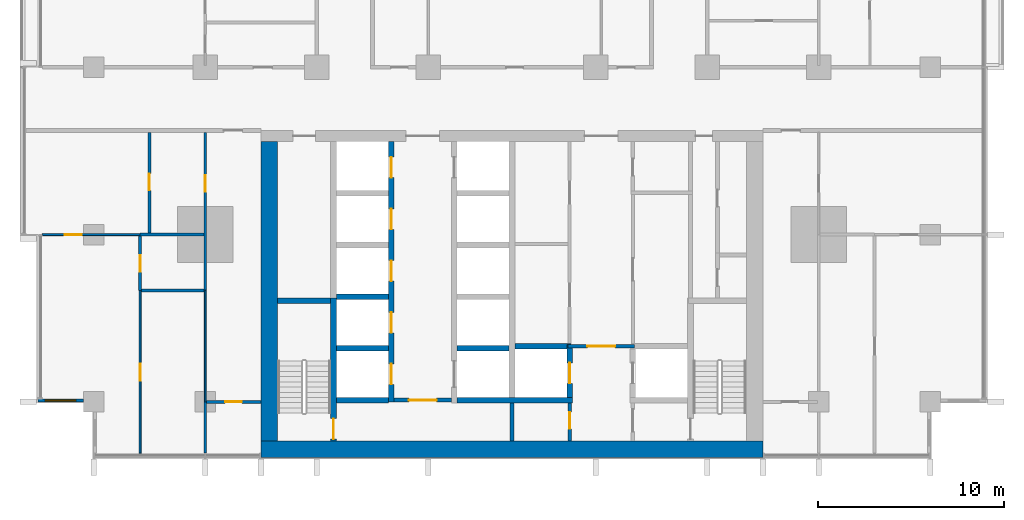
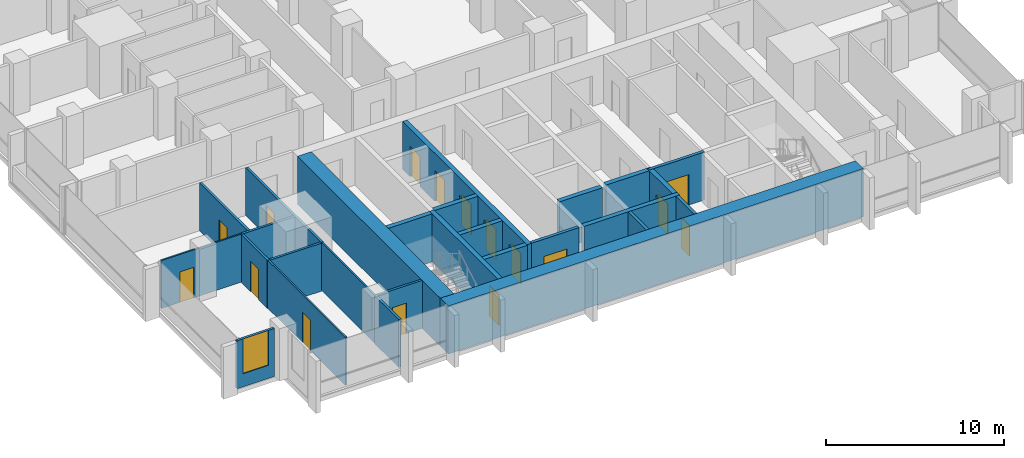
# One storey, part 7 of 17: 27 walls, 16 doors, 1 window, 17 openings.
"""IFC4 building model written with IfcOpenShell, lengths in metres."""

from ifc_helpers import new_model, si_unit, direction, frame, frame_2d, origin, place, context, subcontext, project, spatial, rectangle, extrude, material, layer, layer_set, type_object, element, fill, save


model = new_model("IFC4")

# Units and contexts
model_context = context("Model", 3, precision=1e-05, world=origin(), true_north=direction((0.0, 1.0)))
body_context = subcontext(model_context, "Body", "Model", "MODEL_VIEW")
ifc_project = project(units=[si_unit("LENGTHUNIT", "METRE"), si_unit("AREAUNIT", "SQUARE_METRE"), si_unit("VOLUMEUNIT", "CUBIC_METRE"), si_unit("PLANEANGLEUNIT", "RADIAN"), si_unit("MASSUNIT", "GRAM", prefix="KILO")], contexts=[model_context])

# Site, building, storey
site_placement = place(None, origin())
site = spatial("IfcSite", under=ifc_project, at=site_placement, CompositionType="ELEMENT")
building_placement = place(site_placement, origin())
building = spatial("IfcBuilding", under=site, at=building_placement, Name="Finial Court Residences", CompositionType="ELEMENT")
storey_placement = place(building_placement, frame((0.0, 0.0, 61.300048828125)))
storey = spatial("IfcBuildingStorey", under=building, at=storey_placement, Name="L14", CompositionType="ELEMENT", Elevation=61.300048828125)

# Walls
ifc_material_1 = material(Name="Concrete C80/95", Category="concrete")
ifc_layer_1 = layer(ifc_material_1, 0.89990234375)
ifc_layer_set_1 = layer_set([ifc_layer_1], Name="Core outer wall 900 Concrete C80/95")
wall_type_1 = type_object("IfcWallType", Name="Core outer wall 900 Concrete C80/95", PredefinedType="SHEAR", material=ifc_layer_set_1)
wall_1_placement = place(storey_placement, frame((-13.050048828125, -24.60009765625, 0.0), z_axis=(0.0, 0.0, 1.0), x_axis=(0.0, 1.0, 0.0)))
element("IfcWall", 1, at=wall_1_placement, inside=storey, type_object=wall_type_1, Name="Core outer wall L14-03", PredefinedType="SHEAR", context=body_context, shape_type="SweptSolid", body=[
    extrude(rectangle(XDim=16.10009765625, YDim=0.89990234375, at=frame_2d((8.050048828125, 0.0))), origin(), (0.0, 0.0, 1.0), 3.300048828125),
])
ifc_layer_2 = layer(ifc_material_1, 0.89990234375)
ifc_layer_set_2 = layer_set([ifc_layer_2], Name="Core south facade wall 900 Concrete C80/95")
wall_type_2 = type_object("IfcWallType", Name="Core south facade wall 900 Concrete C80/95", PredefinedType="SHEAR", material=ifc_layer_set_2)
wall_2_placement = place(storey_placement, frame((-13.5, -25.050048828125, 0.0), z_axis=(0.0, 0.0, 1.0), x_axis=(1.0, 0.0, 0.0)))
element("IfcWall", 2, at=wall_2_placement, inside=storey, type_object=wall_type_2, Name="Core outer wall L14-01", PredefinedType="SHEAR", context=body_context, shape_type="SweptSolid", body=[
    extrude(rectangle(XDim=27.0, YDim=0.89990234375, at=frame_2d((13.5, 0.0))), origin(), (0.0, 0.0, 1.0), 3.300048828125),
])

# Wall, opening, door
ifc_material_2 = material(Name="Fire-rated gypsum board partition")
ifc_layer_3 = layer(ifc_material_2, 0.199951171875)
ifc_layer_set_3 = layer_set([ifc_layer_3], Name="Firefighting lobby wall 200 EI 120")
wall_type_3 = type_object("IfcWallType", Name="Firefighting lobby wall 200 EI 120", PredefinedType="PARTITIONING", material=ifc_layer_set_3)
wall_3_placement = place(storey_placement, frame((6.574951171875, -19.5, 0.0), z_axis=(0.0, 0.0, 1.0), x_axis=(-1.0, 0.0, 0.0)))
wall_3 = element("IfcWall", 3, at=wall_3_placement, inside=storey, type_object=wall_type_3, Name="Core partition L14-08", PredefinedType="PARTITIONING", context=body_context, shape_type="SweptSolid", body=[
    extrude(rectangle(XDim=3.550048828125, YDim=0.199951171875, at=frame_2d((1.77490234375, 0.0))), origin(), (0.0, 0.0, 1.0), 3.300048828125),
])
opening_1_placement = place(wall_3_placement, frame((1.02490234375, 0.0, 0.0)))
opening_1 = element("IfcOpeningElement", 4, at=opening_1_placement, cuts=wall_3, Name="Opening L14-C02", PredefinedType="OPENING", context=body_context, shape_type="SweptSolid", body=[
    extrude(rectangle(XDim=1.5, YDim=2.10009765625, at=frame_2d((0.75, 1.050048828125))), frame((0.0, 0.10986328125, 0.0), z_axis=(0.0, -1.0, 0.0), x_axis=(1.0, 0.0, 0.0)), (0.0, 0.0, 1.0), 0.219970703125),
])
ifc_material_3 = material(Name="Steel fire door", Category="steel")
door_type_1 = type_object("IfcDoorType", Name="Firefighting lobby door 1500 x 2100 EI 90", OperationType="DOUBLE_DOOR_SINGLE_SWING", PredefinedType="DOOR", material=ifc_material_3)
door_1_placement = place(opening_1_placement, origin())
door_1 = element("IfcDoor", 5, at=door_1_placement, inside=storey, type_object=door_type_1, Name="Firefighting lobby door L14-C02", OperationType="DOUBLE_DOOR_SINGLE_SWING", OverallHeight=2.10009765625, OverallWidth=1.5, PredefinedType="DOOR", context=body_context, shape_type="SweptSolid", body=[
    extrude(rectangle(XDim=1.5, YDim=2.10009765625, at=frame_2d((0.75, 1.050048828125))), frame((0.0, 0.02490234375, 0.0), z_axis=(0.0, -1.0, 0.0), x_axis=(1.0, 0.0, 0.0)), (0.0, 0.0, 1.0), 0.050048828125),
])
fill(opening_1, door_1)

wall_4_placement = place(storey_placement, frame((3.10009765625, -24.60009765625, 0.0), z_axis=(0.0, 0.0, 1.0), x_axis=(0.0, 1.0, 0.0)))
wall_4 = element("IfcWall", 6, at=wall_4_placement, inside=storey, type_object=wall_type_3, Name="Core partition L14-27", PredefinedType="PARTITIONING", context=body_context, shape_type="SweptSolid", body=[
    extrude(rectangle(XDim=2.050048828125, YDim=0.199951171875, at=frame_2d((1.02490234375, 0.0))), origin(), (0.0, 0.0, 1.0), 3.300048828125),
])
opening_2_placement = place(wall_4_placement, frame((0.64990234375, 0.0, 0.0)))
opening_2 = element("IfcOpeningElement", 7, at=opening_2_placement, cuts=wall_4, Name="Opening L14-C06", PredefinedType="OPENING", context=body_context, shape_type="SweptSolid", body=[
    extrude(rectangle(XDim=0.89990234375, YDim=2.10009765625, at=frame_2d((0.449951171875, 1.050048828125))), frame((0.0, 0.10986328125, 0.0), z_axis=(0.0, -1.0, 0.0), x_axis=(1.0, 0.0, 0.0)), (0.0, 0.0, 1.0), 0.219970703125),
])
door_type_2 = type_object("IfcDoorType", Name="Riser room door 900 x 2100 EI 90", OperationType="NOTDEFINED", PredefinedType="DOOR", material=ifc_material_3)
door_2_placement = place(opening_2_placement, origin())
door_2 = element("IfcDoor", 8, at=door_2_placement, inside=storey, type_object=door_type_2, Name="Riser room door L14-C06", OperationType="SINGLE_SWING_LEFT", OverallHeight=2.10009765625, OverallWidth=0.89990234375, PredefinedType="DOOR", context=body_context, shape_type="SweptSolid", body=[
    extrude(rectangle(XDim=0.89990234375, YDim=2.10009765625, at=frame_2d((0.449951171875, 1.050048828125))), frame((0.0, 0.02490234375, 0.0), z_axis=(0.0, -1.0, 0.0), x_axis=(1.0, 0.0, 0.0)), (0.0, 0.0, 1.0), 0.050048828125),
])
fill(opening_2, door_2)

ifc_material_4 = material(Name="Gypsum board")
ifc_layer_4 = layer(ifc_material_4, 0.012451171875)
ifc_material_5 = material(Name="Mineral wool in light-gauge frame")
ifc_layer_5 = layer(ifc_material_5, 0.074951171875)
ifc_layer_6 = layer(ifc_material_4, 0.012451171875)
ifc_layer_set_4 = layer_set([ifc_layer_4, ifc_layer_5, ifc_layer_6], Name="Gypsum board partition 100")
wall_type_4 = type_object("IfcWallType", Name="Gypsum board partition 100", PredefinedType="PARTITIONING", material=ifc_layer_set_4)
wall_5_placement = place(storey_placement, frame((-25.25, -13.5, 0.0), z_axis=(0.0, 0.0, 1.0), x_axis=(1.0, 0.0, 0.0)))
wall_5 = element("IfcWall", 9, at=wall_5_placement, inside=storey, type_object=wall_type_4, Name="Partition L14-003", PredefinedType="PARTITIONING", context=body_context, shape_type="SweptSolid", body=[
    extrude(rectangle(XDim=5.25, YDim=0.10009765625, at=frame_2d((2.625, 0.0))), origin(), (0.0, 0.0, 1.0), 3.300048828125),
])
opening_3_placement = place(wall_5_placement, frame((1.199951171875, 0.0, 0.0)))
opening_3 = element("IfcOpeningElement", 10, at=opening_3_placement, cuts=wall_5, Name="Opening L14-D003", PredefinedType="OPENING", context=body_context, shape_type="SweptSolid", body=[
    extrude(rectangle(XDim=0.89990234375, YDim=2.10009765625, at=frame_2d((0.449951171875, 1.050048828125))), frame((0.0, 0.06005859375, 0.0), z_axis=(0.0, -1.0, 0.0), x_axis=(1.0, 0.0, 0.0)), (0.0, 0.0, 1.0), 0.1201171875),
])
ifc_material_6 = material(Name="Timber door leaf in timber frame", Category="wood")
door_type_3 = type_object("IfcDoorType", Name="Door set 900 x 2100", OperationType="SINGLE_SWING_LEFT", PredefinedType="DOOR", material=ifc_material_6)
door_3_placement = place(opening_3_placement, origin())
door_3 = element("IfcDoor", 11, at=door_3_placement, inside=storey, type_object=door_type_3, Name="Door L14-D003", OperationType="SINGLE_SWING_LEFT", OverallHeight=2.10009765625, OverallWidth=0.89990234375, PredefinedType="DOOR", context=body_context, shape_type="SweptSolid", body=[
    extrude(rectangle(XDim=0.89990234375, YDim=2.10009765625, at=frame_2d((0.449951171875, 1.050048828125))), frame((0.0, 0.02490234375, 0.0), z_axis=(0.0, -1.0, 0.0), x_axis=(1.0, 0.0, 0.0)), (0.0, 0.0, 1.0), 0.050048828125),
])
fill(opening_3, door_3)

wall_6_placement = place(storey_placement, frame((-20.0, -25.25, 0.0), z_axis=(0.0, 0.0, 1.0), x_axis=(0.0, 1.0, 0.0)))
wall_6 = element("IfcWall", 12, at=wall_6_placement, inside=storey, type_object=wall_type_4, Name="Partition L14-045", PredefinedType="PARTITIONING", context=body_context, shape_type="SweptSolid", body=[
    extrude(rectangle(XDim=8.75, YDim=0.10009765625, at=frame_2d((4.375, 0.0))), origin(), (0.0, 0.0, 1.0), 3.300048828125),
])
opening_4_placement = place(wall_6_placement, frame((3.89990234375, 0.0, 0.0)))
opening_4 = element("IfcOpeningElement", 13, at=opening_4_placement, cuts=wall_6, Name="Opening L14-D033", PredefinedType="OPENING", context=body_context, shape_type="SweptSolid", body=[
    extrude(rectangle(XDim=0.89990234375, YDim=2.10009765625, at=frame_2d((0.449951171875, 1.050048828125))), frame((0.0, 0.06005859375, 0.0), z_axis=(0.0, -1.0, 0.0), x_axis=(1.0, 0.0, 0.0)), (0.0, 0.0, 1.0), 0.1201171875),
])
door_4_placement = place(opening_4_placement, origin())
door_4 = element("IfcDoor", 14, at=door_4_placement, inside=storey, type_object=door_type_3, Name="Door L14-D033", OperationType="SINGLE_SWING_LEFT", OverallHeight=2.10009765625, OverallWidth=0.89990234375, PredefinedType="DOOR", context=body_context, shape_type="SweptSolid", body=[
    extrude(rectangle(XDim=0.89990234375, YDim=2.10009765625, at=frame_2d((0.449951171875, 1.050048828125))), frame((0.0, 0.02490234375, 0.0), z_axis=(0.0, -1.0, 0.0), x_axis=(1.0, 0.0, 0.0)), (0.0, 0.0, 1.0), 0.050048828125),
])
fill(opening_4, door_4)

# Wall
wall_7_placement = place(storey_placement, frame((-16.5, -22.5, 0.0), z_axis=(0.0, 0.0, 1.0), x_axis=(0.0, 1.0, 0.0)))
element("IfcWall", 15, at=wall_7_placement, inside=storey, type_object=wall_type_4, Name="Partition L14-049", PredefinedType="PARTITIONING", context=body_context, shape_type="SweptSolid", body=[
    extrude(rectangle(XDim=6.0, YDim=0.10009765625, at=frame_2d((3.0, 0.0))), origin(), (0.0, 0.0, 1.0), 3.300048828125),
])

# Wall, opening, door
ifc_material_7 = material(Name="Moisture-resistant gypsum board")
ifc_layer_7 = layer(ifc_material_7, 0.012451171875)
ifc_layer_8 = layer(ifc_material_5, 0.125)
ifc_layer_9 = layer(ifc_material_7, 0.012451171875)
ifc_layer_set_5 = layer_set([ifc_layer_7, ifc_layer_8, ifc_layer_9], Name="Gypsum board wet-area partition 150")
wall_type_5 = type_object("IfcWallType", Name="Gypsum board wet-area partition 150", PredefinedType="PARTITIONING", material=ifc_layer_set_5)
wall_8_placement = place(storey_placement, frame((-16.425048828125, -22.5, 0.0), z_axis=(0.0, 0.0, 1.0), x_axis=(1.0, 0.0, 0.0)))
wall_8 = element("IfcWall", 16, at=wall_8_placement, inside=storey, type_object=wall_type_5, Name="Partition L14-000", PredefinedType="PARTITIONING", context=body_context, shape_type="SweptSolid", body=[
    extrude(rectangle(XDim=2.925048828125, YDim=0.14990234375, at=frame_2d((1.46240234375, 0.0))), origin(), (0.0, 0.0, 1.0), 3.300048828125),
])
opening_5_placement = place(wall_8_placement, frame((1.0, 0.0, 0.0)))
opening_5 = element("IfcOpeningElement", 17, at=opening_5_placement, cuts=wall_8, Name="Opening L14-D001", PredefinedType="OPENING", context=body_context, shape_type="SweptSolid", body=[
    extrude(rectangle(XDim=0.89990234375, YDim=2.10009765625, at=frame_2d((0.449951171875, 1.050048828125))), frame((0.0, 0.0849609375, 0.0), z_axis=(0.0, -1.0, 0.0), x_axis=(1.0, 0.0, 0.0)), (0.0, 0.0, 1.0), 0.169921875),
])
door_5_placement = place(opening_5_placement, origin())
door_5 = element("IfcDoor", 18, at=door_5_placement, inside=storey, type_object=door_type_3, Name="Door L14-D001", OperationType="SINGLE_SWING_RIGHT", OverallHeight=2.10009765625, OverallWidth=0.89990234375, PredefinedType="DOOR", context=body_context, shape_type="SweptSolid", body=[
    extrude(rectangle(XDim=0.89990234375, YDim=2.10009765625, at=frame_2d((0.449951171875, 1.050048828125))), frame((0.0, 0.02490234375, 0.0), z_axis=(0.0, -1.0, 0.0), x_axis=(1.0, 0.0, 0.0)), (0.0, 0.0, 1.0), 0.050048828125),
])
fill(opening_5, door_5)

# Walls
wall_9_placement = place(storey_placement, frame((-19.925048828125, -16.5, 0.0), z_axis=(0.0, 0.0, 1.0), x_axis=(1.0, 0.0, 0.0)))
element("IfcWall", 19, at=wall_9_placement, inside=storey, type_object=wall_type_5, Name="Partition L14-002", PredefinedType="PARTITIONING", context=body_context, shape_type="SweptSolid", body=[
    extrude(rectangle(XDim=3.35009765625, YDim=0.14990234375, at=frame_2d((1.675048828125, 0.0))), origin(), (0.0, 0.0, 1.0), 3.300048828125),
])
wall_10_placement = place(storey_placement, frame((-20.0, -13.5, 0.0), z_axis=(0.0, 0.0, 1.0), x_axis=(1.0, 0.0, 0.0)))
element("IfcWall", 20, at=wall_10_placement, inside=storey, type_object=wall_type_5, Name="Partition L14-005", PredefinedType="PARTITIONING", context=body_context, shape_type="SweptSolid", body=[
    extrude(rectangle(XDim=3.425048828125, YDim=0.14990234375, at=frame_2d((1.71240234375, 0.0))), origin(), (0.0, 0.0, 1.0), 3.300048828125),
])

# Wall, opening, door
wall_11_placement = place(storey_placement, frame((-20.0, -16.5, 0.0), z_axis=(0.0, 0.0, 1.0), x_axis=(0.0, 1.0, 0.0)))
wall_11 = element("IfcWall", 21, at=wall_11_placement, inside=storey, type_object=wall_type_5, Name="Partition L14-046", PredefinedType="PARTITIONING", context=body_context, shape_type="SweptSolid", body=[
    extrude(rectangle(XDim=2.925048828125, YDim=0.14990234375, at=frame_2d((1.46240234375, 0.0))), origin(), (0.0, 0.0, 1.0), 3.300048828125),
])
opening_6_placement = place(wall_11_placement, frame((1.0, 0.0, 0.0)))
opening_6 = element("IfcOpeningElement", 22, at=opening_6_placement, cuts=wall_11, Name="Opening L14-D034", PredefinedType="OPENING", context=body_context, shape_type="SweptSolid", body=[
    extrude(rectangle(XDim=0.89990234375, YDim=2.10009765625, at=frame_2d((0.449951171875, 1.050048828125))), frame((0.0, 0.0849609375, 0.0), z_axis=(0.0, -1.0, 0.0), x_axis=(1.0, 0.0, 0.0)), (0.0, 0.0, 1.0), 0.169921875),
])
door_6_placement = place(opening_6_placement, origin())
door_6 = element("IfcDoor", 23, at=door_6_placement, inside=storey, type_object=door_type_3, Name="Door L14-D034", OperationType="SINGLE_SWING_RIGHT", OverallHeight=2.10009765625, OverallWidth=0.89990234375, PredefinedType="DOOR", context=body_context, shape_type="SweptSolid", body=[
    extrude(rectangle(XDim=0.89990234375, YDim=2.10009765625, at=frame_2d((0.449951171875, 1.050048828125))), frame((0.0, 0.02490234375, 0.0), z_axis=(0.0, -1.0, 0.0), x_axis=(1.0, 0.0, 0.0)), (0.0, 0.0, 1.0), 0.050048828125),
])
fill(opening_6, door_6)

wall_12_placement = place(storey_placement, frame((-19.5, -13.425048828125, 0.0), z_axis=(0.0, 0.0, 1.0), x_axis=(0.0, 1.0, 0.0)))
wall_12 = element("IfcWall", 24, at=wall_12_placement, inside=storey, type_object=wall_type_5, Name="Partition L14-047", PredefinedType="PARTITIONING", context=body_context, shape_type="SweptSolid", body=[
    extrude(rectangle(XDim=5.425048828125, YDim=0.14990234375, at=frame_2d((2.71240234375, 0.0))), origin(), (0.0, 0.0, 1.0), 3.300048828125),
])
opening_7_placement = place(wall_12_placement, frame((2.300048828125, 0.0, 0.0)))
opening_7 = element("IfcOpeningElement", 25, at=opening_7_placement, cuts=wall_12, Name="Opening L14-D035", PredefinedType="OPENING", context=body_context, shape_type="SweptSolid", body=[
    extrude(rectangle(XDim=0.89990234375, YDim=2.10009765625, at=frame_2d((0.449951171875, 1.050048828125))), frame((0.0, 0.0849609375, 0.0), z_axis=(0.0, -1.0, 0.0), x_axis=(1.0, 0.0, 0.0)), (0.0, 0.0, 1.0), 0.169921875),
])
door_7_placement = place(opening_7_placement, origin())
door_7 = element("IfcDoor", 26, at=door_7_placement, inside=storey, type_object=door_type_3, Name="Door L14-D035", OperationType="SINGLE_SWING_RIGHT", OverallHeight=2.10009765625, OverallWidth=0.89990234375, PredefinedType="DOOR", context=body_context, shape_type="SweptSolid", body=[
    extrude(rectangle(XDim=0.89990234375, YDim=2.10009765625, at=frame_2d((0.449951171875, 1.050048828125))), frame((0.0, 0.02490234375, 0.0), z_axis=(0.0, -1.0, 0.0), x_axis=(1.0, 0.0, 0.0)), (0.0, 0.0, 1.0), 0.050048828125),
])
fill(opening_7, door_7)

# Wall
wall_13_placement = place(storey_placement, frame((-16.5, -25.25, 0.0), z_axis=(0.0, 0.0, 1.0), x_axis=(0.0, 1.0, 0.0)))
element("IfcWall", 27, at=wall_13_placement, inside=storey, type_object=wall_type_5, Name="Partition L14-055", PredefinedType="PARTITIONING", context=body_context, shape_type="SweptSolid", body=[
    extrude(rectangle(XDim=2.75, YDim=0.14990234375, at=frame_2d((1.375, 0.0))), origin(), (0.0, 0.0, 1.0), 3.300048828125),
])

# Wall, opening, door
wall_14_placement = place(storey_placement, frame((-16.5, -16.5, 0.0), z_axis=(0.0, 0.0, 1.0), x_axis=(0.0, 1.0, 0.0)))
wall_14 = element("IfcWall", 28, at=wall_14_placement, inside=storey, type_object=wall_type_5, Name="Partition L14-056", PredefinedType="PARTITIONING", context=body_context, shape_type="SweptSolid", body=[
    extrude(rectangle(XDim=8.5, YDim=0.14990234375, at=frame_2d((4.25, 0.0))), origin(), (0.0, 0.0, 1.0), 3.300048828125),
])
opening_8_placement = place(wall_14_placement, frame((5.300048828125, 0.0, 0.0)))
opening_8 = element("IfcOpeningElement", 29, at=opening_8_placement, cuts=wall_14, Name="Opening L14-D039", PredefinedType="OPENING", context=body_context, shape_type="SweptSolid", body=[
    extrude(rectangle(XDim=0.89990234375, YDim=2.10009765625, at=frame_2d((0.449951171875, 1.050048828125))), frame((0.0, 0.0849609375, 0.0), z_axis=(0.0, -1.0, 0.0), x_axis=(1.0, 0.0, 0.0)), (0.0, 0.0, 1.0), 0.169921875),
])
door_8_placement = place(opening_8_placement, origin())
door_8 = element("IfcDoor", 30, at=door_8_placement, inside=storey, type_object=door_type_3, Name="Door L14-D039", OperationType="SINGLE_SWING_LEFT", OverallHeight=2.10009765625, OverallWidth=0.89990234375, PredefinedType="DOOR", context=body_context, shape_type="SweptSolid", body=[
    extrude(rectangle(XDim=0.89990234375, YDim=2.10009765625, at=frame_2d((0.449951171875, 1.050048828125))), frame((0.0, 0.02490234375, 0.0), z_axis=(0.0, -1.0, 0.0), x_axis=(1.0, 0.0, 0.0)), (0.0, 0.0, 1.0), 0.050048828125),
])
fill(opening_8, door_8)

# Walls
ifc_layer_10 = layer(ifc_material_1, 0.300048828125)
ifc_layer_set_6 = layer_set([ifc_layer_10], Name="Lift shaft and stair wall 300 Concrete C80/95")
wall_type_6 = type_object("IfcWallType", Name="Lift shaft and stair wall 300 Concrete C80/95", PredefinedType="SHEAR", material=ifc_layer_set_6)
wall_15_placement = place(storey_placement, frame((-9.449951171875, -22.39990234375, 0.0), z_axis=(0.0, 0.0, 1.0), x_axis=(1.0, 0.0, 0.0)))
element("IfcWall", 31, at=wall_15_placement, inside=storey, type_object=wall_type_6, Name="Core wall L14-01", PredefinedType="SHEAR", context=body_context, shape_type="SweptSolid", body=[
    extrude(rectangle(XDim=2.800048828125, YDim=0.300048828125, at=frame_2d((1.39990234375, 0.0))), origin(), (0.0, 0.0, 1.0), 3.300048828125),
])
wall_16_placement = place(storey_placement, frame((-2.949951171875, -22.39990234375, 0.0), z_axis=(0.0, 0.0, 1.0), x_axis=(1.0, 0.0, 0.0)))
element("IfcWall", 32, at=wall_16_placement, inside=storey, type_object=wall_type_6, Name="Core wall L14-03", PredefinedType="SHEAR", context=body_context, shape_type="SweptSolid", body=[
    extrude(rectangle(XDim=6.199951171875, YDim=0.300048828125, at=frame_2d((3.10009765625, 0.0))), origin(), (0.0, 0.0, 1.0), 3.300048828125),
])
for number, where, z_axis, x_axis, name in (
    (33, (-9.449951171875, -19.6201171875, 0.0), (0.0, 0.0, 1.0), (1.0, 0.0, 0.0), "Core wall L14-05"),
    (34, (-2.949951171875, -19.6201171875, 0.0), (0.0, 0.0, 1.0), (1.0, 0.0, 0.0), "Core wall L14-06"),
):
    element("IfcWall", number, at=place(storey_placement, frame(where, z_axis=z_axis, x_axis=x_axis)), inside=storey, type_object=wall_type_6, Name=name, PredefinedType="SHEAR", context=body_context, shape_type="SweptSolid", body=[
        extrude(rectangle(XDim=2.800048828125, YDim=0.300048828125, at=frame_2d((1.39990234375, 0.0))), origin(), (0.0, 0.0, 1.0), 3.300048828125),
    ])
wall_17_placement = place(storey_placement, frame((0.14990234375, -19.5, 0.0), z_axis=(0.0, 0.0, 1.0), x_axis=(1.0, 0.0, 0.0)))
element("IfcWall", 35, at=wall_17_placement, inside=storey, type_object=wall_type_6, Name="Core wall L14-07", PredefinedType="SHEAR", context=body_context, shape_type="SweptSolid", body=[
    extrude(rectangle(XDim=3.025146484375, YDim=0.300048828125, at=frame_2d((1.5126953125, 0.0))), origin(), (0.0, 0.0, 1.0), 3.300048828125),
])
wall_18_placement = place(storey_placement, frame((-12.60009765625, -17.050048828125, 0.0), z_axis=(0.0, 0.0, 1.0), x_axis=(1.0, 0.0, 0.0)))
element("IfcWall", 36, at=wall_18_placement, inside=storey, type_object=wall_type_6, Name="Core wall L14-10", PredefinedType="SHEAR", context=body_context, shape_type="SweptSolid", body=[
    extrude(rectangle(XDim=2.85009765625, YDim=0.300048828125, at=frame_2d((1.425048828125, 0.0))), origin(), (0.0, 0.0, 1.0), 3.300048828125),
])
wall_19_placement = place(storey_placement, frame((-9.449951171875, -16.840087890625, 0.0), z_axis=(0.0, 0.0, 1.0), x_axis=(1.0, 0.0, 0.0)))
element("IfcWall", 37, at=wall_19_placement, inside=storey, type_object=wall_type_6, Name="Core wall L14-12", PredefinedType="SHEAR", context=body_context, shape_type="SweptSolid", body=[
    extrude(rectangle(XDim=2.800048828125, YDim=0.300048828125, at=frame_2d((1.39990234375, 0.0))), origin(), (0.0, 0.0, 1.0), 3.300048828125),
])

# Wall, opening, door
wall_20_placement = place(storey_placement, frame((-9.60009765625, -24.60009765625, 0.0), z_axis=(0.0, 0.0, 1.0), x_axis=(0.0, 1.0, 0.0)))
wall_20 = element("IfcWall", 38, at=wall_20_placement, inside=storey, type_object=wall_type_6, Name="Core wall L14-21", PredefinedType="SHEAR", context=body_context, shape_type="SweptSolid", body=[
    extrude(rectangle(XDim=7.7001953125, YDim=0.300048828125, at=frame_2d((3.85009765625, 0.0))), origin(), (0.0, 0.0, 1.0), 3.300048828125),
])
opening_9_placement = place(wall_20_placement, frame((0.10009765625, 0.0, 0.0)))
opening_9 = element("IfcOpeningElement", 39, at=opening_9_placement, cuts=wall_20, Name="Opening L14-C15", PredefinedType="OPENING", context=body_context, shape_type="SweptSolid", body=[
    extrude(rectangle(XDim=1.10009765625, YDim=2.10009765625, at=frame_2d((0.550048828125, 1.050048828125))), frame((0.0, 0.159912109375, 0.0), z_axis=(0.0, -1.0, 0.0), x_axis=(1.0, 0.0, 0.0)), (0.0, 0.0, 1.0), 0.320068359375),
])
door_type_4 = type_object("IfcDoorType", Name="Stair door 1100 x 2100 EI 90", OperationType="NOTDEFINED", PredefinedType="DOOR", material=ifc_material_3)
door_9_placement = place(opening_9_placement, origin())
door_9 = element("IfcDoor", 40, at=door_9_placement, inside=storey, type_object=door_type_4, Name="Stair door L14-C15", OperationType="SINGLE_SWING_LEFT", OverallHeight=2.10009765625, OverallWidth=1.10009765625, PredefinedType="DOOR", context=body_context, shape_type="SweptSolid", body=[
    extrude(rectangle(XDim=1.10009765625, YDim=2.10009765625, at=frame_2d((0.550048828125, 1.050048828125))), frame((0.0, 0.02490234375, 0.0), z_axis=(0.0, -1.0, 0.0), x_axis=(1.0, 0.0, 0.0)), (0.0, 0.0, 1.0), 0.050048828125),
])
fill(opening_9, door_9)

# Wall, openings, doors
wall_21_placement = place(storey_placement, frame((-6.5, -22.5, 0.0), z_axis=(0.0, 0.0, 1.0), x_axis=(0.0, 1.0, 0.0)))
wall_21 = element("IfcWall", 41, at=wall_21_placement, inside=storey, type_object=wall_type_6, Name="Core wall L14-23", PredefinedType="SHEAR", context=body_context, shape_type="SweptSolid", body=[
    extrude(rectangle(XDim=14.0, YDim=0.300048828125, at=frame_2d((7.0, 0.0))), origin(), (0.0, 0.0, 1.0), 3.300048828125),
])
opening_10_placement = place(wall_21_placement, frame((0.93994140625, 0.0, 0.0)))
opening_10 = element("IfcOpeningElement", 42, at=opening_10_placement, cuts=wall_21, Name="Opening L14-LD03", PredefinedType="OPENING", context=body_context, shape_type="SweptSolid", body=[
    extrude(rectangle(XDim=1.10009765625, YDim=2.10009765625, at=frame_2d((0.550048828125, 1.050048828125))), frame((0.0, 0.159912109375, 0.0), z_axis=(0.0, -1.0, 0.0), x_axis=(1.0, 0.0, 0.0)), (0.0, 0.0, 1.0), 0.320068359375),
])
opening_11_placement = place(wall_21_placement, frame((3.719970703125, 0.0, 0.0)))
opening_11 = element("IfcOpeningElement", 43, at=opening_11_placement, cuts=wall_21, Name="Opening L14-LD04", PredefinedType="OPENING", context=body_context, shape_type="SweptSolid", body=[
    extrude(rectangle(XDim=1.10009765625, YDim=2.10009765625, at=frame_2d((0.550048828125, 1.050048828125))), frame((0.0, 0.159912109375, 0.0), z_axis=(0.0, -1.0, 0.0), x_axis=(1.0, 0.0, 0.0)), (0.0, 0.0, 1.0), 0.320068359375),
])
opening_12_placement = place(wall_21_placement, frame((6.5, 0.0, 0.0)))
opening_12 = element("IfcOpeningElement", 44, at=opening_12_placement, cuts=wall_21, Name="Opening L14-LD05", PredefinedType="OPENING", context=body_context, shape_type="SweptSolid", body=[
    extrude(rectangle(XDim=1.10009765625, YDim=2.10009765625, at=frame_2d((0.550048828125, 1.050048828125))), frame((0.0, 0.159912109375, 0.0), z_axis=(0.0, -1.0, 0.0), x_axis=(1.0, 0.0, 0.0)), (0.0, 0.0, 1.0), 0.320068359375),
])
opening_13_placement = place(wall_21_placement, frame((9.280029296875, 0.0, 0.0)))
opening_13 = element("IfcOpeningElement", 45, at=opening_13_placement, cuts=wall_21, Name="Opening L14-LD06", PredefinedType="OPENING", context=body_context, shape_type="SweptSolid", body=[
    extrude(rectangle(XDim=1.10009765625, YDim=2.10009765625, at=frame_2d((0.550048828125, 1.050048828125))), frame((0.0, 0.159912109375, 0.0), z_axis=(0.0, -1.0, 0.0), x_axis=(1.0, 0.0, 0.0)), (0.0, 0.0, 1.0), 0.320068359375),
])
opening_14_placement = place(wall_21_placement, frame((12.06005859375, 0.0, 0.0)))
opening_14 = element("IfcOpeningElement", 46, at=opening_14_placement, cuts=wall_21, Name="Opening L14-LD07", PredefinedType="OPENING", context=body_context, shape_type="SweptSolid", body=[
    extrude(rectangle(XDim=1.10009765625, YDim=2.10009765625, at=frame_2d((0.550048828125, 1.050048828125))), frame((0.0, 0.159912109375, 0.0), z_axis=(0.0, -1.0, 0.0), x_axis=(1.0, 0.0, 0.0)), (0.0, 0.0, 1.0), 0.320068359375),
])
ifc_material_8 = material(Name="Stainless steel lift door", Category="steel")
door_type_5 = type_object("IfcDoorType", Name="Lift landing door 1100 x 2100 EI 90", OperationType="DOUBLE_DOOR_SLIDING", PredefinedType="DOOR", material=ifc_material_8)
door_10_placement = place(opening_10_placement, origin())
door_10 = element("IfcDoor", 47, at=door_10_placement, inside=storey, type_object=door_type_5, Name="Lift landing door LR1 L14", OperationType="DOUBLE_DOOR_SLIDING", OverallHeight=2.10009765625, OverallWidth=1.10009765625, PredefinedType="DOOR", context=body_context, shape_type="SweptSolid", body=[
    extrude(rectangle(XDim=1.10009765625, YDim=2.10009765625, at=frame_2d((0.550048828125, 1.050048828125))), frame((0.0, 0.02490234375, 0.0), z_axis=(0.0, -1.0, 0.0), x_axis=(1.0, 0.0, 0.0)), (0.0, 0.0, 1.0), 0.050048828125),
])
fill(opening_10, door_10)
door_11_placement = place(opening_11_placement, origin())
door_11 = element("IfcDoor", 48, at=door_11_placement, inside=storey, type_object=door_type_5, Name="Lift landing door LR2 L14", OperationType="DOUBLE_DOOR_SLIDING", OverallHeight=2.10009765625, OverallWidth=1.10009765625, PredefinedType="DOOR", context=body_context, shape_type="SweptSolid", body=[
    extrude(rectangle(XDim=1.10009765625, YDim=2.10009765625, at=frame_2d((0.550048828125, 1.050048828125))), frame((0.0, 0.02490234375, 0.0), z_axis=(0.0, -1.0, 0.0), x_axis=(1.0, 0.0, 0.0)), (0.0, 0.0, 1.0), 0.050048828125),
])
fill(opening_11, door_11)
door_12_placement = place(opening_12_placement, origin())
door_12 = element("IfcDoor", 49, at=door_12_placement, inside=storey, type_object=door_type_5, Name="Lift landing door LR3 L14", OperationType="DOUBLE_DOOR_SLIDING", OverallHeight=2.10009765625, OverallWidth=1.10009765625, PredefinedType="DOOR", context=body_context, shape_type="SweptSolid", body=[
    extrude(rectangle(XDim=1.10009765625, YDim=2.10009765625, at=frame_2d((0.550048828125, 1.050048828125))), frame((0.0, 0.02490234375, 0.0), z_axis=(0.0, -1.0, 0.0), x_axis=(1.0, 0.0, 0.0)), (0.0, 0.0, 1.0), 0.050048828125),
])
fill(opening_12, door_12)
door_13_placement = place(opening_13_placement, origin())
door_13 = element("IfcDoor", 50, at=door_13_placement, inside=storey, type_object=door_type_5, Name="Lift landing door LR4 L14", OperationType="DOUBLE_DOOR_SLIDING", OverallHeight=2.10009765625, OverallWidth=1.10009765625, PredefinedType="DOOR", context=body_context, shape_type="SweptSolid", body=[
    extrude(rectangle(XDim=1.10009765625, YDim=2.10009765625, at=frame_2d((0.550048828125, 1.050048828125))), frame((0.0, 0.02490234375, 0.0), z_axis=(0.0, -1.0, 0.0), x_axis=(1.0, 0.0, 0.0)), (0.0, 0.0, 1.0), 0.050048828125),
])
fill(opening_13, door_13)
door_14_placement = place(opening_14_placement, origin())
door_14 = element("IfcDoor", 51, at=door_14_placement, inside=storey, type_object=door_type_5, Name="Lift landing door LR5 L14", OperationType="DOUBLE_DOOR_SLIDING", OverallHeight=2.10009765625, OverallWidth=1.10009765625, PredefinedType="DOOR", context=body_context, shape_type="SweptSolid", body=[
    extrude(rectangle(XDim=1.10009765625, YDim=2.10009765625, at=frame_2d((0.550048828125, 1.050048828125))), frame((0.0, 0.02490234375, 0.0), z_axis=(0.0, -1.0, 0.0), x_axis=(1.0, 0.0, 0.0)), (0.0, 0.0, 1.0), 0.050048828125),
])
fill(opening_14, door_14)

# Wall, opening, door
wall_22_placement = place(storey_placement, frame((3.10009765625, -22.25, 0.0), z_axis=(0.0, 0.0, 1.0), x_axis=(0.0, 1.0, 0.0)))
wall_22 = element("IfcWall", 52, at=wall_22_placement, inside=storey, type_object=wall_type_6, Name="Core wall L14-28", PredefinedType="SHEAR", context=body_context, shape_type="SweptSolid", body=[
    extrude(rectangle(XDim=2.85009765625, YDim=0.300048828125, at=frame_2d((1.425048828125, 0.0))), origin(), (0.0, 0.0, 1.0), 3.300048828125),
])
opening_15_placement = place(wall_22_placement, frame((0.75, 0.0, 0.0)))
opening_15 = element("IfcOpeningElement", 53, at=opening_15_placement, cuts=wall_22, Name="Opening L14-LD01", PredefinedType="OPENING", context=body_context, shape_type="SweptSolid", body=[
    extrude(rectangle(XDim=1.10009765625, YDim=2.10009765625, at=frame_2d((0.550048828125, 1.050048828125))), frame((0.0, 0.159912109375, 0.0), z_axis=(0.0, -1.0, 0.0), x_axis=(1.0, 0.0, 0.0)), (0.0, 0.0, 1.0), 0.320068359375),
])
door_15_placement = place(opening_15_placement, origin())
door_15 = element("IfcDoor", 54, at=door_15_placement, inside=storey, type_object=door_type_5, Name="Lift landing door FF1 L14", OperationType="DOUBLE_DOOR_SLIDING", OverallHeight=2.10009765625, OverallWidth=1.10009765625, PredefinedType="DOOR", context=body_context, shape_type="SweptSolid", body=[
    extrude(rectangle(XDim=1.10009765625, YDim=2.10009765625, at=frame_2d((0.550048828125, 1.050048828125))), frame((0.0, 0.02490234375, 0.0), z_axis=(0.0, -1.0, 0.0), x_axis=(1.0, 0.0, 0.0)), (0.0, 0.0, 1.0), 0.050048828125),
])
fill(opening_15, door_15)

# Wall, opening, window
ifc_material_9 = material(Name="Natural limestone", Category="masonry")
ifc_layer_11 = layer(ifc_material_9, 0.14990234375)
ifc_layer_set_7 = layer_set([ifc_layer_11], Name="Limestone clad wall 150")
wall_type_7 = type_object("IfcWallType", Name="Limestone clad wall 150", PredefinedType="SOLIDWALL", material=ifc_layer_set_7)
wall_23_placement = place(storey_placement, frame((-23.050048828125, -22.425048828125, 0.0), z_axis=(0.0, 0.0, 1.0), x_axis=(-1.0, 0.0, 0.0)))
wall_23 = element("IfcWall", 55, at=wall_23_placement, inside=storey, type_object=wall_type_7, Name="E-L14-NWS15", PredefinedType="SOLIDWALL", context=body_context, shape_type="SweptSolid", body=[
    extrude(rectangle(XDim=2.449951171875, YDim=0.14990234375, at=frame_2d((1.22509765625, 0.0))), origin(), (0.0, 0.0, 1.0), 3.300048828125),
])
opening_16_placement = place(wall_23_placement, frame((0.39990234375, 0.0, 0.89990234375)))
opening_16 = element("IfcOpeningElement", 56, at=opening_16_placement, cuts=wall_23, Name="Opening WE14-02", PredefinedType="OPENING", context=body_context, shape_type="SweptSolid", body=[
    extrude(rectangle(XDim=1.64990234375, YDim=2.39990234375, at=frame_2d((0.824951171875, 1.199951171875))), frame((0.0, 0.0849609375, 0.0), z_axis=(0.0, -1.0, 0.0), x_axis=(1.0, 0.0, 0.0)), (0.0, 0.0, 1.0), 0.169921875),
])
ifc_material_10 = material(Name="Clear low-e glass", Category="glass")
window_type = type_object("IfcWindowType", Name="Corner window 1650 x 2400", PartitioningType="SINGLE_PANEL", PredefinedType="WINDOW", material=ifc_material_10)
window_placement = place(opening_16_placement, origin())
window = element("IfcWindow", 57, at=window_placement, inside=storey, type_object=window_type, Name="E-L14-NWS15-W1", OverallHeight=2.39990234375, OverallWidth=1.64990234375, PartitioningType="SINGLE_PANEL", PredefinedType="WINDOW", context=body_context, shape_type="SweptSolid", body=[
    extrude(rectangle(XDim=1.64990234375, YDim=2.39990234375, at=frame_2d((0.824951171875, 1.199951171875))), frame((0.0, 0.030029296875, 0.0), z_axis=(0.0, -1.0, 0.0), x_axis=(1.0, 0.0, 0.0)), (0.0, 0.0, 1.0), 0.06005859375),
])
fill(opening_16, window)

# Wall
ifc_layer_12 = layer(ifc_material_2, 0.199951171875)
ifc_layer_set_8 = layer_set([ifc_layer_12], Name="Riser room wall 200 EI 120")
wall_type_8 = type_object("IfcWallType", Name="Riser room wall 200 EI 120", PredefinedType="PARTITIONING", material=ifc_layer_set_8)
wall_24_placement = place(storey_placement, frame((0.0, -24.60009765625, 0.0), z_axis=(0.0, 0.0, 1.0), x_axis=(0.0, 1.0, 0.0)))
element("IfcWall", 58, at=wall_24_placement, inside=storey, type_object=wall_type_8, Name="Core partition L14-25", PredefinedType="PARTITIONING", context=body_context, shape_type="SweptSolid", body=[
    extrude(rectangle(XDim=2.050048828125, YDim=0.199951171875, at=frame_2d((1.02490234375, 0.0))), origin(), (0.0, 0.0, 1.0), 3.300048828125),
])

# Wall, opening, door
ifc_layer_13 = layer(ifc_material_2, 0.199951171875)
ifc_layer_set_9 = layer_set([ifc_layer_13], Name="Stair passage wall 200 EI 180")
wall_type_9 = type_object("IfcWallType", Name="Stair passage wall 200 EI 180", PredefinedType="PARTITIONING", material=ifc_layer_set_9)
wall_25_placement = place(storey_placement, frame((-3.25, -22.39990234375, 0.0), z_axis=(0.0, 0.0, 1.0), x_axis=(-1.0, 0.0, 0.0)))
wall_25 = element("IfcWall", 59, at=wall_25_placement, inside=storey, type_object=wall_type_9, Name="Core partition L14-02", PredefinedType="PARTITIONING", context=body_context, shape_type="SweptSolid", body=[
    extrude(rectangle(XDim=3.10009765625, YDim=0.199951171875, at=frame_2d((1.550048828125, 0.0))), origin(), (0.0, 0.0, 1.0), 3.300048828125),
])
opening_17_placement = place(wall_25_placement, frame((0.800048828125, 0.0, 0.0)))
opening_17 = element("IfcOpeningElement", 60, at=opening_17_placement, cuts=wall_25, Name="Opening L14-C03", PredefinedType="OPENING", context=body_context, shape_type="SweptSolid", body=[
    extrude(rectangle(XDim=1.5, YDim=2.10009765625, at=frame_2d((0.75, 1.050048828125))), frame((0.0, 0.10986328125, 0.0), z_axis=(0.0, -1.0, 0.0), x_axis=(1.0, 0.0, 0.0)), (0.0, 0.0, 1.0), 0.219970703125),
])
door_type_6 = type_object("IfcDoorType", Name="Lift lobby door 1500 x 2100 EI 60", OperationType="DOUBLE_DOOR_SINGLE_SWING", PredefinedType="DOOR", material=ifc_material_3)
door_16_placement = place(opening_17_placement, origin())
door_16 = element("IfcDoor", 61, at=door_16_placement, inside=storey, type_object=door_type_6, Name="Lift lobby door L14-C03", OperationType="DOUBLE_DOOR_SINGLE_SWING", OverallHeight=2.10009765625, OverallWidth=1.5, PredefinedType="DOOR", context=body_context, shape_type="SweptSolid", body=[
    extrude(rectangle(XDim=1.5, YDim=2.10009765625, at=frame_2d((0.75, 1.050048828125))), frame((0.0, 0.02490234375, 0.0), z_axis=(0.0, -1.0, 0.0), x_axis=(1.0, 0.0, 0.0)), (0.0, 0.0, 1.0), 0.050048828125),
])
fill(opening_17, door_16)

save(model, "model.ifc")
